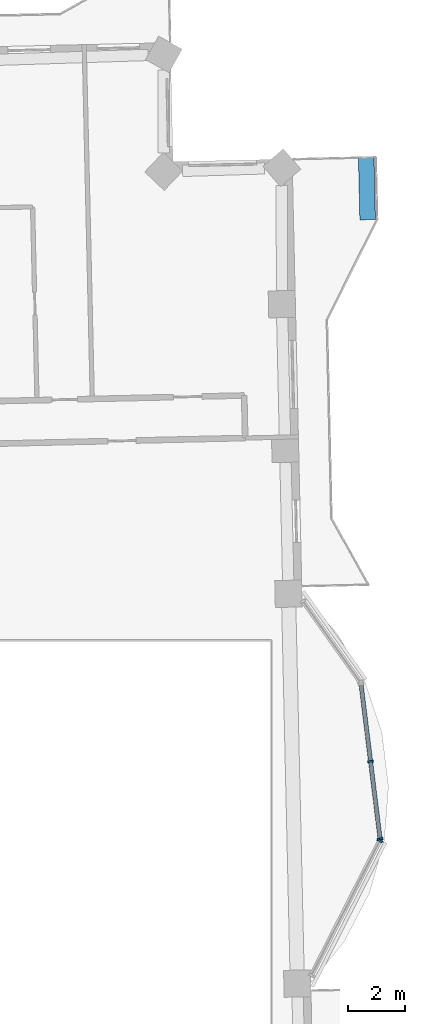
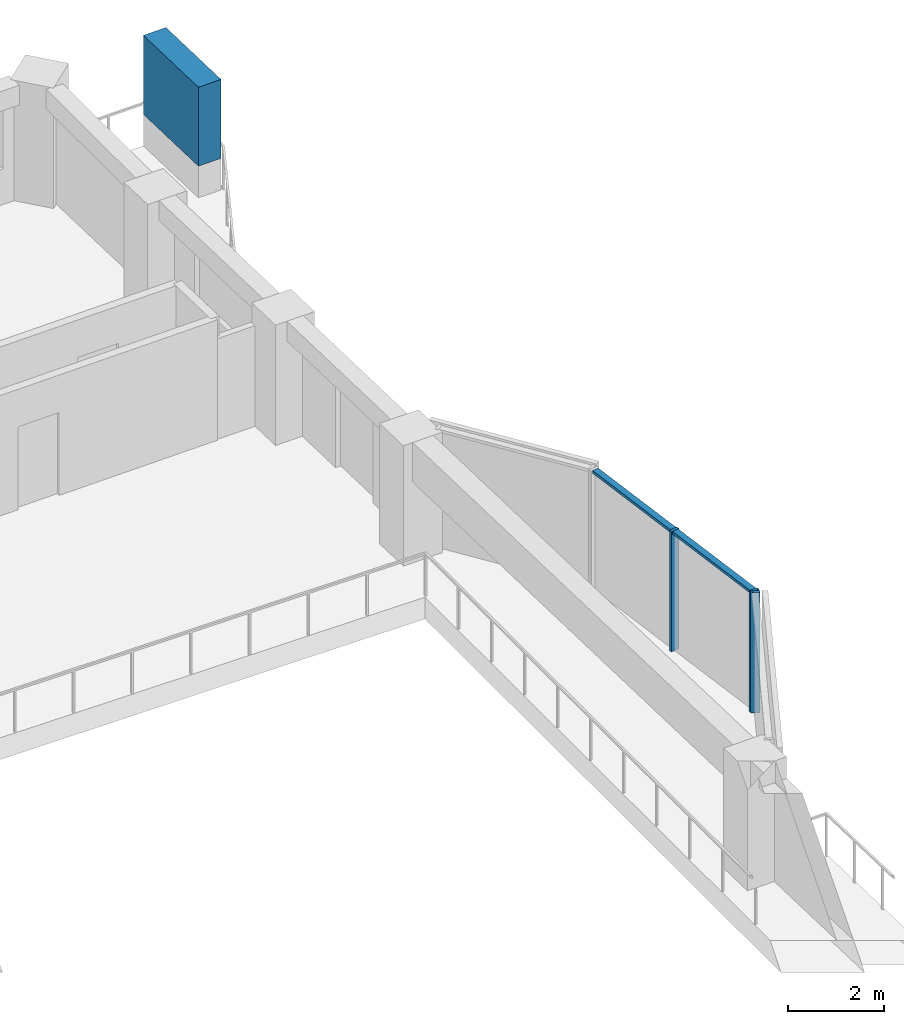
# One storey, part 6 of 19: 6 members, 2 elements without a shape of their own.
"""IFC4 building model written with IfcOpenShell, lengths in metres."""

from ifc_helpers import new_model, si_unit, direction, frame, origin, origin_2d, place, context, subcontext, project, spatial, rectangle, extrude, material, material_profile, profile_set, type_object, element, aggregate, save


model = new_model("IFC4")

# Units and contexts
model_context = context("Model", 3, precision=1e-05, world=origin(), true_north=direction((0.0, 1.0)))
body_context = subcontext(model_context, "Body", "Model", "MODEL_VIEW")
ifc_project = project(units=[si_unit("LENGTHUNIT", "METRE"), si_unit("AREAUNIT", "SQUARE_METRE"), si_unit("VOLUMEUNIT", "CUBIC_METRE"), si_unit("PLANEANGLEUNIT", "RADIAN"), si_unit("MASSUNIT", "GRAM", prefix="KILO")], contexts=[model_context])

# Site, building, storey
site_placement = place(None, origin())
site = spatial("IfcSite", under=ifc_project, at=site_placement, CompositionType="ELEMENT")
building_placement = place(site_placement, origin())
building = spatial("IfcBuilding", under=site, at=building_placement, Name="Mangrove Gate Tower", CompositionType="ELEMENT")
storey_placement = place(building_placement, frame((0.0, 0.0, 283.5)))
storey = spatial("IfcBuildingStorey", under=building, at=storey_placement, Name="L72", CompositionType="ELEMENT", Elevation=283.5)

# Curtain wall, member
ifc_material_1 = material(Name="Aluminium and glass curtain wall", Category="aluminium")
curtain_wall_type = type_object("IfcCurtainWallType", Name="Atrium garden-court glazing wall", PredefinedType="NOTDEFINED", material=ifc_material_1)
curtain_wall_1_placement = place(storey_placement, origin())
curtain_wall_1 = element("IfcCurtainWall", 1, at=curtain_wall_1_placement, inside=storey, type_object=curtain_wall_type, Name="Atrium garden-court glazing E1f1", PredefinedType="NOTDEFINED")
ifc_material_2 = material(Name="Aluminium alloy 6063-T6", Category="aluminium")
ifc_material_profile_1 = material_profile(ifc_material_2, rectangle(XDim=0.070068359375, YDim=0.199951171875, at=origin_2d()))
ifc_profile_set_1 = profile_set([ifc_material_profile_1], Name="Aluminium alloy 6063-T6")
member_type_1 = type_object("IfcMemberType", Name="Atrium garden-court glazing mullion 70x200", PredefinedType="MULLION", material=ifc_profile_set_1)
member_1_placement = place(storey_placement, frame((33.748046875, 0.474853515625, 0.0), z_axis=(0.0, 0.0, 1.0), x_axis=(0.452617386511, 0.891704828644, 0.0)))
member_1 = element("IfcMember", 2, at=member_1_placement, type_object=member_type_1, Name="CWA mullion 2", PredefinedType="MULLION", context=body_context, shape_type="SweptSolid", body=[
    extrude(rectangle(XDim=0.070068359375, YDim=0.199951171875, at=origin_2d()), origin(), (0.0, 0.0, 1.0), 3.050048828125),
])
aggregate(curtain_wall_1, [member_1])

# Curtain wall, members
curtain_wall_2_placement = place(storey_placement, origin())
curtain_wall_2 = element("IfcCurtainWall", 3, at=curtain_wall_2_placement, inside=storey, type_object=curtain_wall_type, Name="Atrium garden-court glazing E1f2", PredefinedType="NOTDEFINED")
member_2_placement = place(storey_placement, frame((33.759521484375, 0.540771484375, 0.0), z_axis=(0.0, 0.0, 1.0), x_axis=(-0.122172285885, 0.992508908051, 0.0)))
member_2 = element("IfcMember", 4, at=member_2_placement, type_object=member_type_1, Name="CWA mullion 1", PredefinedType="MULLION", context=body_context, shape_type="SweptSolid", body=[
    extrude(rectangle(XDim=0.070068359375, YDim=0.199951171875, at=origin_2d()), origin(), (0.0, 0.0, 1.0), 3.050048828125),
])
member_3_placement = place(storey_placement, frame((33.42333984375, 3.27197265625, 0.0), z_axis=(0.0, 0.0, 1.0), x_axis=(-0.122172285885, 0.992508908051, 0.0)))
member_3 = element("IfcMember", 5, at=member_3_placement, type_object=member_type_1, Name="CWA mullion 2", PredefinedType="MULLION", context=body_context, shape_type="SweptSolid", body=[
    extrude(rectangle(XDim=0.070068359375, YDim=0.199951171875, at=origin_2d()), origin(), (0.0, 0.0, 1.0), 3.050048828125),
])
ifc_material_3 = material(Name="Aluminium alloy 6063-T6", Category="aluminium")
ifc_material_profile_2 = material_profile(ifc_material_3, rectangle(XDim=0.070068359375, YDim=0.14990234375, at=origin_2d()))
ifc_profile_set_2 = profile_set([ifc_material_profile_2], Name="Aluminium alloy 6063-T6")
member_type_2 = type_object("IfcMemberType", Name="Atrium garden-court glazing transom 70x150", PredefinedType="USERDEFINED", material=ifc_profile_set_2)
member_4_placement = place(storey_placement, frame((33.75537109375, 0.575439453125, 3.014892578125), z_axis=(-0.122174517154, 0.992508633392, 0.0), x_axis=(0.0, 0.0, 1.0)))
member_4 = element("IfcMember", 6, at=member_4_placement, type_object=member_type_2, Name="CWA transom 1.2", ObjectType="TRANSOM", PredefinedType="USERDEFINED", context=body_context, shape_type="SweptSolid", body=[
    extrude(rectangle(XDim=0.070068359375, YDim=0.14990234375, at=origin_2d()), origin(), (0.0, 0.0, 1.0), 2.681640625),
])
member_5_placement = place(storey_placement, frame((33.419189453125, 3.306640625, 3.014892578125), z_axis=(-0.122174517154, 0.992508633392, 0.0), x_axis=(0.0, 0.0, 1.0)))
member_5 = element("IfcMember", 7, at=member_5_placement, type_object=member_type_2, Name="CWA transom 2.2", ObjectType="TRANSOM", PredefinedType="USERDEFINED", context=body_context, shape_type="SweptSolid", body=[
    extrude(rectangle(XDim=0.070068359375, YDim=0.14990234375, at=origin_2d()), origin(), (0.0, 0.0, 1.0), 2.681640625),
])
aggregate(curtain_wall_2, [member_2, member_3, member_4, member_5])

# Member
ifc_material_4 = material(Name="Planting on aluminium trellis", Category="aluminium")
ifc_material_profile_3 = material_profile(ifc_material_4, rectangle(XDim=0.550048828125, YDim=2.0, at=origin_2d()))
ifc_profile_set_3 = profile_set([ifc_material_profile_3], Name="Planting on aluminium trellis")
member_type_3 = type_object("IfcMemberType", Name="Balcony greenery screen 550x2000", PredefinedType="USERDEFINED", material=ifc_profile_set_3)
member_6_placement = place(storey_placement, frame((33.321044921875, 22.375, 1.800048828125), z_axis=(-0.022744087289, 0.999741319789, 0.0), x_axis=(-0.999741319789, -0.022744087289, 0.0)))
element("IfcMember", 8, at=member_6_placement, inside=storey, type_object=member_type_3, Name="GREEN SCREEN L72 E1.1", ObjectType="PLANTING", PredefinedType="USERDEFINED", context=body_context, shape_type="SweptSolid", body=[
    extrude(rectangle(XDim=0.550048828125, YDim=2.0, at=origin_2d()), origin(), (0.0, 0.0, 1.0), 2.200439453125),
])

save(model, "model.ifc")
